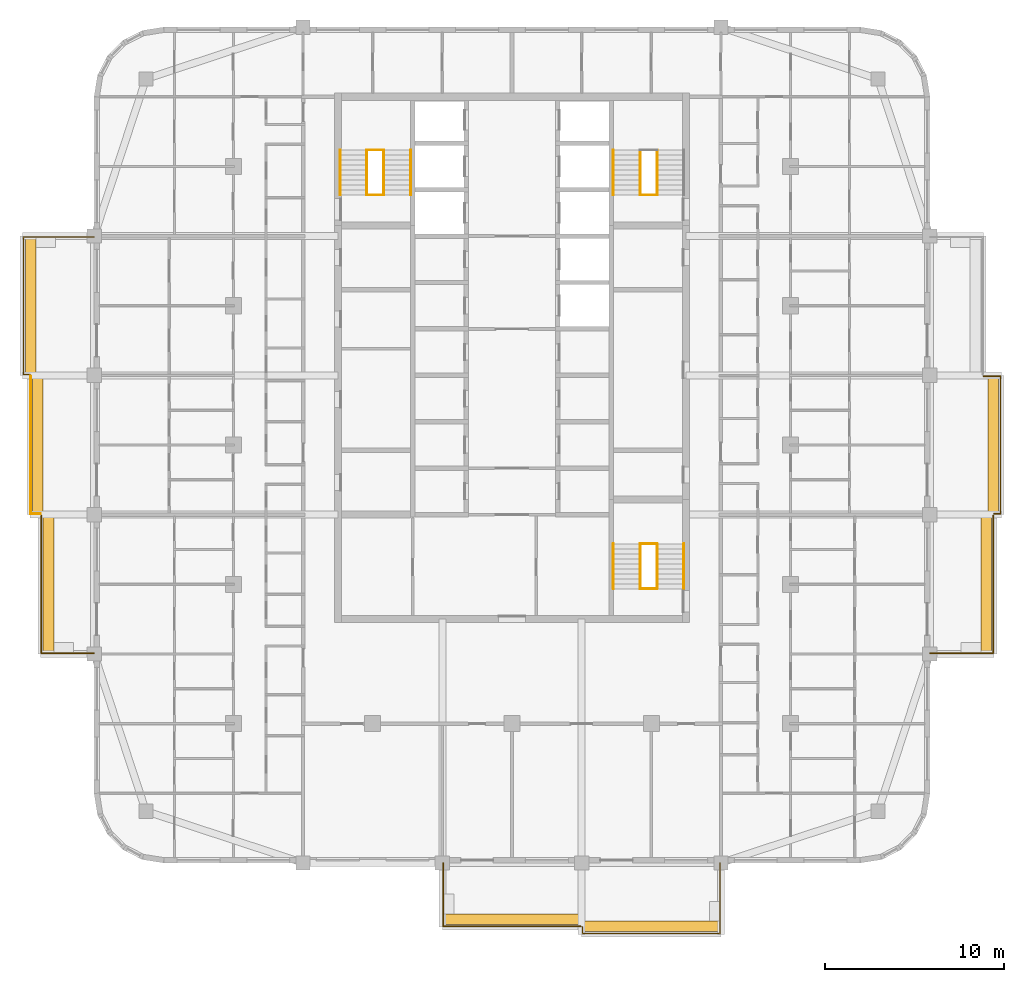
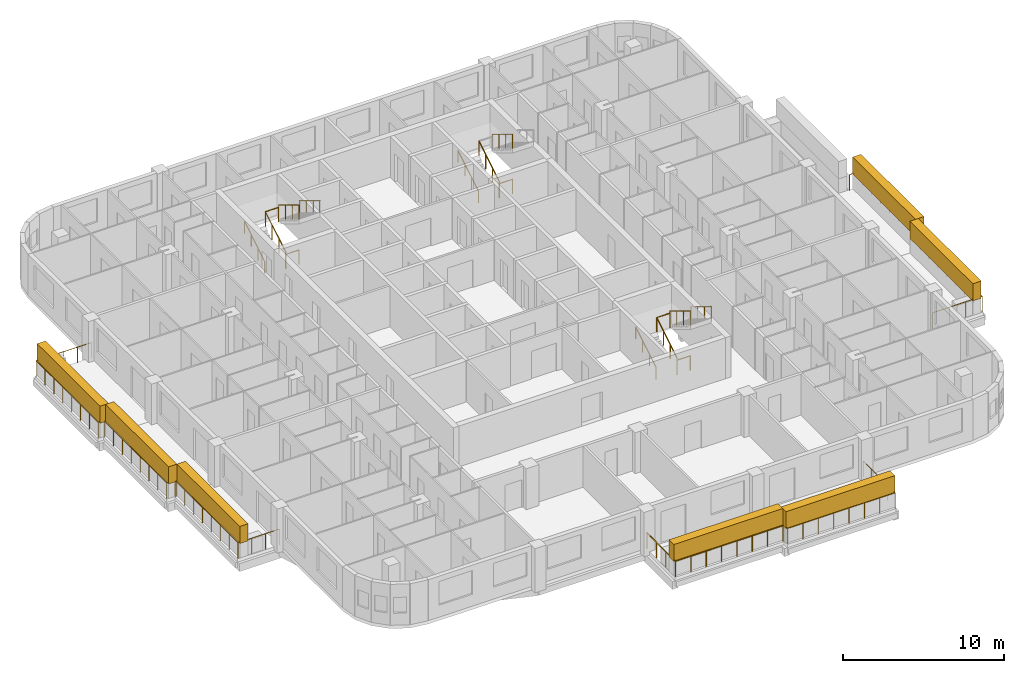
# One storey, part 15 of 16: 23 railings, 7 coverings, 3 elements without a shape of their own.
"""IFC4 building model written with IfcOpenShell, lengths in metres."""

from ifc_helpers import new_model, si_unit, direction, frame, origin, origin_2d, place, context, subcontext, project, spatial, rectangle, circle, extrude, material, layer, layer_set, type_object, element, aggregate, save


model = new_model("IFC4")

# Units and contexts
model_context = context("Model", 3, precision=1e-05, world=origin(), true_north=direction((0.0, 1.0)))
body_context = subcontext(model_context, "Body", "Model", "MODEL_VIEW")
ifc_project = project(units=[si_unit("LENGTHUNIT", "METRE"), si_unit("AREAUNIT", "SQUARE_METRE"), si_unit("VOLUMEUNIT", "CUBIC_METRE"), si_unit("PLANEANGLEUNIT", "RADIAN"), si_unit("MASSUNIT", "GRAM", prefix="KILO")], contexts=[model_context])

# Site, building, storey
site_placement = place(None, origin())
site = spatial("IfcSite", under=ifc_project, at=site_placement, CompositionType="ELEMENT")
building_placement = place(site_placement, origin())
building = spatial("IfcBuilding", under=site, at=building_placement, Name="Ludao Terraces", CompositionType="ELEMENT")
storey_placement = place(building_placement, frame((0.0, 0.0, 238.10009765625)))
storey = spatial("IfcBuildingStorey", under=building, at=storey_placement, Name="L65", CompositionType="ELEMENT", Elevation=238.10009765625)

# Railings
ifc_material_1 = material(Name="Stainless steel 304", Category="steel")
railing_type_1 = type_object("IfcRailingType", Name="ENV Balcony glass guard 1200", PredefinedType="GUARDRAIL", material=ifc_material_1)
railing_1_placement = place(storey_placement, frame((81.14990234375, 41.60009765625, 0.0)))
element("IfcRailing", 1, at=railing_1_placement, inside=storey, type_object=railing_type_1, Name="Balcony guard L65 S2", PredefinedType="GUARDRAIL", context=body_context, shape_type="SweptSolid", body=[
    extrude(circle(Radius=0.02392578125, at=origin_2d()), frame((0.0, 0.0, 1.17578125), z_axis=(0.0, -1.0, 0.0), x_axis=(1.0, 0.0, 0.0)), (0.0, 0.0, 1.0), 3.550048828125),
    extrude(circle(Radius=0.02392578125, at=origin_2d()), frame((0.0, -3.550048828125, 1.17578125), z_axis=(1.0, 0.0, 0.0), x_axis=(0.0, 1.0, 0.0)), (0.0, 0.0, 1.0), 7.7001953125),
    extrude(circle(Radius=0.02099609375, at=origin_2d()), origin(), (0.0, 0.0, 1.0), 1.15185546875),
    extrude(circle(Radius=0.02099609375, at=origin_2d()), frame((0.0, -1.183349609375, 0.0)), (0.0, 0.0, 1.0), 1.15185546875),
    extrude(circle(Radius=0.02099609375, at=origin_2d()), frame((0.0, -2.36669921875, 0.0)), (0.0, 0.0, 1.0), 1.15185546875),
    extrude(circle(Radius=0.02099609375, at=origin_2d()), frame((0.0, -3.550048828125, 0.0)), (0.0, 0.0, 1.0), 1.15185546875),
    extrude(circle(Radius=0.02099609375, at=origin_2d()), frame((1.10009765625, -3.550048828125, 0.0)), (0.0, 0.0, 1.0), 1.15185546875),
    extrude(circle(Radius=0.02099609375, at=origin_2d()), frame((2.199951171875, -3.550048828125, 0.0)), (0.0, 0.0, 1.0), 1.15185546875),
    extrude(circle(Radius=0.02099609375, at=origin_2d()), frame((3.300048828125, -3.550048828125, 0.0)), (0.0, 0.0, 1.0), 1.15185546875),
    extrude(circle(Radius=0.02099609375, at=origin_2d()), frame((4.400146484375, -3.550048828125, 0.0)), (0.0, 0.0, 1.0), 1.15185546875),
    extrude(circle(Radius=0.02099609375, at=origin_2d()), frame((5.500244140625, -3.550048828125, 0.0)), (0.0, 0.0, 1.0), 1.15185546875),
    extrude(circle(Radius=0.02099609375, at=origin_2d()), frame((6.60009765625, -3.550048828125, 0.0)), (0.0, 0.0, 1.0), 1.15185546875),
    extrude(circle(Radius=0.02099609375, at=origin_2d()), frame((7.7001953125, -3.550048828125, 0.0)), (0.0, 0.0, 1.0), 1.15185546875),
])
railing_2_placement = place(storey_placement, frame((88.949951171875, 38.0, 0.0)))
element("IfcRailing", 2, at=railing_2_placement, inside=storey, type_object=railing_type_1, Name="Balcony guard L65 S3", PredefinedType="GUARDRAIL", context=body_context, shape_type="SweptSolid", body=[
    extrude(circle(Radius=0.02392578125, at=origin_2d()), frame((0.0, 0.0, 1.17578125), z_axis=(0.0, -1.0, 0.0), x_axis=(1.0, 0.0, 0.0)), (0.0, 0.0, 1.0), 0.35009765625),
    extrude(circle(Radius=0.02392578125, at=origin_2d()), frame((0.0, -0.35009765625, 1.17578125), z_axis=(1.0, 0.0, 0.0), x_axis=(0.0, 1.0, 0.0)), (0.0, 0.0, 1.0), 7.699951171875),
    extrude(circle(Radius=0.02392578125, at=origin_2d()), frame((7.699951171875, -0.35009765625, 1.17578125), z_axis=(0.0, 1.0, 0.0), x_axis=(-1.0, 0.0, 0.0)), (0.0, 0.0, 1.0), 3.9501953125),
    extrude(circle(Radius=0.02099609375, at=origin_2d()), origin(), (0.0, 0.0, 1.0), 1.15185546875),
    extrude(circle(Radius=0.02099609375, at=origin_2d()), frame((0.0, -0.35009765625, 0.0)), (0.0, 0.0, 1.0), 1.15185546875),
    extrude(circle(Radius=0.02099609375, at=origin_2d()), frame((1.10009765625, -0.35009765625, 0.0)), (0.0, 0.0, 1.0), 1.15185546875),
    extrude(circle(Radius=0.02099609375, at=origin_2d()), frame((2.199951171875, -0.35009765625, 0.0)), (0.0, 0.0, 1.0), 1.15185546875),
    extrude(circle(Radius=0.02099609375, at=origin_2d()), frame((3.300048828125, -0.35009765625, 0.0)), (0.0, 0.0, 1.0), 1.15185546875),
    extrude(circle(Radius=0.02099609375, at=origin_2d()), frame((4.39990234375, -0.35009765625, 0.0)), (0.0, 0.0, 1.0), 1.15185546875),
    extrude(circle(Radius=0.02099609375, at=origin_2d()), frame((5.5, -0.35009765625, 0.0)), (0.0, 0.0, 1.0), 1.15185546875),
    extrude(circle(Radius=0.02099609375, at=origin_2d()), frame((6.599853515625, -0.35009765625, 0.0)), (0.0, 0.0, 1.0), 1.15185546875),
    extrude(circle(Radius=0.02099609375, at=origin_2d()), frame((7.699951171875, -0.35009765625, 0.0)), (0.0, 0.0, 1.0), 1.15185546875),
    extrude(circle(Radius=0.02099609375, at=origin_2d()), frame((7.699951171875, 0.637451171875, 0.0)), (0.0, 0.0, 1.0), 1.15185546875),
    extrude(circle(Radius=0.02099609375, at=origin_2d()), frame((7.699951171875, 1.625, 0.0)), (0.0, 0.0, 1.0), 1.15185546875),
    extrude(circle(Radius=0.02099609375, at=origin_2d()), frame((7.699951171875, 2.612548828125, 0.0)), (0.0, 0.0, 1.0), 1.15185546875),
    extrude(circle(Radius=0.02099609375, at=origin_2d()), frame((7.699951171875, 3.60009765625, 0.0)), (0.0, 0.0, 1.0), 1.15185546875),
])
railing_3_placement = place(storey_placement, frame((108.39990234375, 53.35009765625, 0.0)))
element("IfcRailing", 3, at=railing_3_placement, inside=storey, type_object=railing_type_1, Name="Balcony guard L65 E1", PredefinedType="GUARDRAIL", context=body_context, shape_type="SweptSolid", body=[
    extrude(circle(Radius=0.02392578125, at=origin_2d()), frame((0.0, 0.0, 1.17578125), z_axis=(1.0, 0.0, 0.0), x_axis=(0.0, 1.0, 0.0)), (0.0, 0.0, 1.0), 3.550048828125),
    extrude(circle(Radius=0.02392578125, at=origin_2d()), frame((3.550048828125, 0.0, 1.17578125), z_axis=(0.0, 1.0, 0.0), x_axis=(-1.0, 0.0, 0.0)), (0.0, 0.0, 1.0), 7.699951171875),
    extrude(circle(Radius=0.02099609375, at=origin_2d()), origin(), (0.0, 0.0, 1.0), 1.15185546875),
    extrude(circle(Radius=0.02099609375, at=origin_2d()), frame((1.183349609375, 0.0, 0.0)), (0.0, 0.0, 1.0), 1.15185546875),
    extrude(circle(Radius=0.02099609375, at=origin_2d()), frame((2.36669921875, 0.0, 0.0)), (0.0, 0.0, 1.0), 1.15185546875),
    extrude(circle(Radius=0.02099609375, at=origin_2d()), frame((3.550048828125, 0.0, 0.0)), (0.0, 0.0, 1.0), 1.15185546875),
    extrude(circle(Radius=0.02099609375, at=origin_2d()), frame((3.550048828125, 1.10009765625, 0.0)), (0.0, 0.0, 1.0), 1.15185546875),
    extrude(circle(Radius=0.02099609375, at=origin_2d()), frame((3.550048828125, 2.199951171875, 0.0)), (0.0, 0.0, 1.0), 1.15185546875),
    extrude(circle(Radius=0.02099609375, at=origin_2d()), frame((3.550048828125, 3.300048828125, 0.0)), (0.0, 0.0, 1.0), 1.15185546875),
    extrude(circle(Radius=0.02099609375, at=origin_2d()), frame((3.550048828125, 4.39990234375, 0.0)), (0.0, 0.0, 1.0), 1.15185546875),
    extrude(circle(Radius=0.02099609375, at=origin_2d()), frame((3.550048828125, 5.5, 0.0)), (0.0, 0.0, 1.0), 1.15185546875),
    extrude(circle(Radius=0.02099609375, at=origin_2d()), frame((3.550048828125, 6.599853515625, 0.0)), (0.0, 0.0, 1.0), 1.15185546875),
    extrude(circle(Radius=0.02099609375, at=origin_2d()), frame((3.550048828125, 7.699951171875, 0.0)), (0.0, 0.0, 1.0), 1.15185546875),
])
railing_4_placement = place(storey_placement, frame((112.0, 61.14990234375, 0.0)))
element("IfcRailing", 4, at=railing_4_placement, inside=storey, type_object=railing_type_1, Name="Balcony guard L65 E2", PredefinedType="GUARDRAIL", context=body_context, shape_type="SweptSolid", body=[
    extrude(circle(Radius=0.02392578125, at=origin_2d()), frame((0.0, 0.0, 1.17578125), z_axis=(1.0, 0.0, 0.0), x_axis=(0.0, 1.0, 0.0)), (0.0, 0.0, 1.0), 0.35009765625),
    extrude(circle(Radius=0.02392578125, at=origin_2d()), frame((0.35009765625, 0.0, 1.17578125), z_axis=(0.0, 1.0, 0.0), x_axis=(-1.0, 0.0, 0.0)), (0.0, 0.0, 1.0), 7.7001953125),
    extrude(circle(Radius=0.02392578125, at=origin_2d()), frame((0.35009765625, 7.7001953125, 1.17578125), z_axis=(-1.0, 0.0, 0.0), x_axis=(0.0, -1.0, 0.0)), (0.0, 0.0, 1.0), 0.9501953125),
    extrude(circle(Radius=0.02099609375, at=origin_2d()), origin(), (0.0, 0.0, 1.0), 1.15185546875),
    extrude(circle(Radius=0.02099609375, at=origin_2d()), frame((0.35009765625, 0.0, 0.0)), (0.0, 0.0, 1.0), 1.15185546875),
    extrude(circle(Radius=0.02099609375, at=origin_2d()), frame((0.35009765625, 1.10009765625, 0.0)), (0.0, 0.0, 1.0), 1.15185546875),
    extrude(circle(Radius=0.02099609375, at=origin_2d()), frame((0.35009765625, 2.199951171875, 0.0)), (0.0, 0.0, 1.0), 1.15185546875),
    extrude(circle(Radius=0.02099609375, at=origin_2d()), frame((0.35009765625, 3.300048828125, 0.0)), (0.0, 0.0, 1.0), 1.15185546875),
    extrude(circle(Radius=0.02099609375, at=origin_2d()), frame((0.35009765625, 4.400146484375, 0.0)), (0.0, 0.0, 1.0), 1.15185546875),
    extrude(circle(Radius=0.02099609375, at=origin_2d()), frame((0.35009765625, 5.500244140625, 0.0)), (0.0, 0.0, 1.0), 1.15185546875),
    extrude(circle(Radius=0.02099609375, at=origin_2d()), frame((0.35009765625, 6.60009765625, 0.0)), (0.0, 0.0, 1.0), 1.15185546875),
    extrude(circle(Radius=0.02099609375, at=origin_2d()), frame((0.35009765625, 7.7001953125, 0.0)), (0.0, 0.0, 1.0), 1.15185546875),
    extrude(circle(Radius=0.02099609375, at=origin_2d()), frame((-0.60009765625, 7.7001953125, 0.0)), (0.0, 0.0, 1.0), 1.15185546875),
])
railing_5_placement = place(storey_placement, frame((61.60009765625, 53.35009765625, 0.0)))
element("IfcRailing", 5, at=railing_5_placement, inside=storey, type_object=railing_type_1, Name="Balcony guard L65 W1", PredefinedType="GUARDRAIL", context=body_context, shape_type="SweptSolid", body=[
    extrude(circle(Radius=0.02392578125, at=origin_2d()), frame((0.0, 0.0, 1.17578125), z_axis=(-1.0, 0.0, 0.0), x_axis=(0.0, -1.0, 0.0)), (0.0, 0.0, 1.0), 2.9501953125),
    extrude(circle(Radius=0.02392578125, at=origin_2d()), frame((-2.9501953125, 0.0, 1.17578125), z_axis=(0.0, 1.0, 0.0), x_axis=(-1.0, 0.0, 0.0)), (0.0, 0.0, 1.0), 7.699951171875),
    extrude(circle(Radius=0.02099609375, at=origin_2d()), origin(), (0.0, 0.0, 1.0), 1.15185546875),
    extrude(circle(Radius=0.02099609375, at=origin_2d()), frame((-0.9833984375, 0.0, 0.0)), (0.0, 0.0, 1.0), 1.15185546875),
    extrude(circle(Radius=0.02099609375, at=origin_2d()), frame((-1.966796875, 0.0, 0.0)), (0.0, 0.0, 1.0), 1.15185546875),
    extrude(circle(Radius=0.02099609375, at=origin_2d()), frame((-2.9501953125, 0.0, 0.0)), (0.0, 0.0, 1.0), 1.15185546875),
    extrude(circle(Radius=0.02099609375, at=origin_2d()), frame((-2.9501953125, 1.10009765625, 0.0)), (0.0, 0.0, 1.0), 1.15185546875),
    extrude(circle(Radius=0.02099609375, at=origin_2d()), frame((-2.9501953125, 2.199951171875, 0.0)), (0.0, 0.0, 1.0), 1.15185546875),
    extrude(circle(Radius=0.02099609375, at=origin_2d()), frame((-2.9501953125, 3.300048828125, 0.0)), (0.0, 0.0, 1.0), 1.15185546875),
    extrude(circle(Radius=0.02099609375, at=origin_2d()), frame((-2.9501953125, 4.39990234375, 0.0)), (0.0, 0.0, 1.0), 1.15185546875),
    extrude(circle(Radius=0.02099609375, at=origin_2d()), frame((-2.9501953125, 5.5, 0.0)), (0.0, 0.0, 1.0), 1.15185546875),
    extrude(circle(Radius=0.02099609375, at=origin_2d()), frame((-2.9501953125, 6.599853515625, 0.0)), (0.0, 0.0, 1.0), 1.15185546875),
    extrude(circle(Radius=0.02099609375, at=origin_2d()), frame((-2.9501953125, 7.699951171875, 0.0)), (0.0, 0.0, 1.0), 1.15185546875),
])
railing_6_placement = place(storey_placement, frame((58.60009765625, 61.14990234375, 0.0)))
element("IfcRailing", 6, at=railing_6_placement, inside=storey, type_object=railing_type_1, Name="Balcony guard L65 W2", PredefinedType="GUARDRAIL", context=body_context, shape_type="SweptSolid", body=[
    extrude(circle(Radius=0.02392578125, at=origin_2d()), frame((0.0, 0.0, 1.17578125), z_axis=(-1.0, 0.0, 0.0), x_axis=(0.0, -1.0, 0.0)), (0.0, 0.0, 1.0), 0.550048828125),
    extrude(circle(Radius=0.02392578125, at=origin_2d()), frame((-0.550048828125, 0.0, 1.17578125), z_axis=(0.0, 1.0, 0.0), x_axis=(-1.0, 0.0, 0.0)), (0.0, 0.0, 1.0), 7.7001953125),
    extrude(circle(Radius=0.02099609375, at=origin_2d()), origin(), (0.0, 0.0, 1.0), 1.15185546875),
    extrude(circle(Radius=0.02099609375, at=origin_2d()), frame((-0.550048828125, 0.0, 0.0)), (0.0, 0.0, 1.0), 1.15185546875),
    extrude(circle(Radius=0.02099609375, at=origin_2d()), frame((-0.550048828125, 1.10009765625, 0.0)), (0.0, 0.0, 1.0), 1.15185546875),
    extrude(circle(Radius=0.02099609375, at=origin_2d()), frame((-0.550048828125, 2.199951171875, 0.0)), (0.0, 0.0, 1.0), 1.15185546875),
    extrude(circle(Radius=0.02099609375, at=origin_2d()), frame((-0.550048828125, 3.300048828125, 0.0)), (0.0, 0.0, 1.0), 1.15185546875),
    extrude(circle(Radius=0.02099609375, at=origin_2d()), frame((-0.550048828125, 4.400146484375, 0.0)), (0.0, 0.0, 1.0), 1.15185546875),
    extrude(circle(Radius=0.02099609375, at=origin_2d()), frame((-0.550048828125, 5.500244140625, 0.0)), (0.0, 0.0, 1.0), 1.15185546875),
    extrude(circle(Radius=0.02099609375, at=origin_2d()), frame((-0.550048828125, 6.60009765625, 0.0)), (0.0, 0.0, 1.0), 1.15185546875),
    extrude(circle(Radius=0.02099609375, at=origin_2d()), frame((-0.550048828125, 7.7001953125, 0.0)), (0.0, 0.0, 1.0), 1.15185546875),
])
railing_7_placement = place(storey_placement, frame((58.0, 68.949951171875, 0.0)))
element("IfcRailing", 7, at=railing_7_placement, inside=storey, type_object=railing_type_1, Name="Balcony guard L65 W3", PredefinedType="GUARDRAIL", context=body_context, shape_type="SweptSolid", body=[
    extrude(circle(Radius=0.02392578125, at=origin_2d()), frame((0.0, 0.0, 1.17578125), z_axis=(-1.0, 0.0, 0.0), x_axis=(0.0, -1.0, 0.0)), (0.0, 0.0, 1.0), 0.35009765625),
    extrude(circle(Radius=0.02392578125, at=origin_2d()), frame((-0.35009765625, 0.0, 1.17578125), z_axis=(0.0, 1.0, 0.0), x_axis=(-1.0, 0.0, 0.0)), (0.0, 0.0, 1.0), 7.699951171875),
    extrude(circle(Radius=0.02392578125, at=origin_2d()), frame((-0.35009765625, 7.699951171875, 1.17578125), z_axis=(1.0, 0.0, 0.0), x_axis=(0.0, 1.0, 0.0)), (0.0, 0.0, 1.0), 3.9501953125),
    extrude(circle(Radius=0.02099609375, at=origin_2d()), origin(), (0.0, 0.0, 1.0), 1.15185546875),
    extrude(circle(Radius=0.02099609375, at=origin_2d()), frame((-0.35009765625, 0.0, 0.0)), (0.0, 0.0, 1.0), 1.15185546875),
    extrude(circle(Radius=0.02099609375, at=origin_2d()), frame((-0.35009765625, 1.10009765625, 0.0)), (0.0, 0.0, 1.0), 1.15185546875),
    extrude(circle(Radius=0.02099609375, at=origin_2d()), frame((-0.35009765625, 2.199951171875, 0.0)), (0.0, 0.0, 1.0), 1.15185546875),
    extrude(circle(Radius=0.02099609375, at=origin_2d()), frame((-0.35009765625, 3.300048828125, 0.0)), (0.0, 0.0, 1.0), 1.15185546875),
    extrude(circle(Radius=0.02099609375, at=origin_2d()), frame((-0.35009765625, 4.39990234375, 0.0)), (0.0, 0.0, 1.0), 1.15185546875),
    extrude(circle(Radius=0.02099609375, at=origin_2d()), frame((-0.35009765625, 5.5, 0.0)), (0.0, 0.0, 1.0), 1.15185546875),
    extrude(circle(Radius=0.02099609375, at=origin_2d()), frame((-0.35009765625, 6.599853515625, 0.0)), (0.0, 0.0, 1.0), 1.15185546875),
    extrude(circle(Radius=0.02099609375, at=origin_2d()), frame((-0.35009765625, 7.699951171875, 0.0)), (0.0, 0.0, 1.0), 1.15185546875),
    extrude(circle(Radius=0.02099609375, at=origin_2d()), frame((0.637451171875, 7.699951171875, 0.0)), (0.0, 0.0, 1.0), 1.15185546875),
    extrude(circle(Radius=0.02099609375, at=origin_2d()), frame((1.625, 7.699951171875, 0.0)), (0.0, 0.0, 1.0), 1.15185546875),
    extrude(circle(Radius=0.02099609375, at=origin_2d()), frame((2.612548828125, 7.699951171875, 0.0)), (0.0, 0.0, 1.0), 1.15185546875),
    extrude(circle(Radius=0.02099609375, at=origin_2d()), frame((3.60009765625, 7.699951171875, 0.0)), (0.0, 0.0, 1.0), 1.15185546875),
])

# Coverings
ifc_material_2 = material(Name="Planting")
ifc_layer = layer(ifc_material_2, 0.60009765625)
ifc_layer_set = layer_set([ifc_layer], Name="ENV Planting hedge 600x1300")
covering_type = type_object("IfcCoveringType", Name="ENV Planting hedge 600x1300", PredefinedType="USERDEFINED", material=ifc_layer_set)
for number, where, z_axis, x_axis, name in (
    (8, (85.0, 38.449951171875, 1.10009765625), (0.0, 0.0, 1.0), (1.0, 0.0, 0.0), "Planting hedge L65-S2"),
    (9, (92.800048828125, 38.050048828125, 1.10009765625), (0.0, 0.0, 1.0), (1.0, 0.0, 0.0), "Planting hedge L65-S3"),
):
    element("IfcCovering", number, at=place(storey_placement, frame(where, z_axis=z_axis, x_axis=x_axis)), inside=storey, type_object=covering_type, Name=name, ObjectType="PLANTING", PredefinedType="USERDEFINED", context=body_context, shape_type="SweptSolid", body=[
        extrude(rectangle(XDim=7.800048828125, YDim=0.60009765625, at=origin_2d()), origin(), (0.0, 0.0, 1.0), 1.300048828125),
    ])
for number, where, z_axis, x_axis, name in (
    (10, (111.550048828125, 57.199951171875, 1.10009765625), (0.0, 0.0, 1.0), (1.0, 0.0, 0.0), "Planting hedge L65-E1"),
    (11, (111.949951171875, 65.0, 1.10009765625), (0.0, 0.0, 1.0), (1.0, 0.0, 0.0), "Planting hedge L65-E2"),
    (12, (59.050048828125, 57.199951171875, 1.10009765625), (0.0, 0.0, 1.0), (1.0, 0.0, 0.0), "Planting hedge L65-W1"),
    (13, (58.449951171875, 65.0, 1.10009765625), (0.0, 0.0, 1.0), (1.0, 0.0, 0.0), "Planting hedge L65-W2"),
    (14, (58.050048828125, 72.800048828125, 1.10009765625), (0.0, 0.0, 1.0), (1.0, 0.0, 0.0), "Planting hedge L65-W3"),
):
    element("IfcCovering", number, at=place(storey_placement, frame(where, z_axis=z_axis, x_axis=x_axis)), inside=storey, type_object=covering_type, Name=name, ObjectType="PLANTING", PredefinedType="USERDEFINED", context=body_context, shape_type="SweptSolid", body=[
        extrude(rectangle(XDim=0.60009765625, YDim=7.800048828125, at=origin_2d()), origin(), (0.0, 0.0, 1.0), 1.300048828125),
    ])

# Stair, railings
ifc_material_3 = material(Name="Concrete C40", Category="concrete")
stair_type = type_object("IfcStairType", Name="INT Stair", PredefinedType="HALF_TURN_STAIR", material=ifc_material_3)
stair_1_placement = place(storey_placement, origin())
stair_1 = element("IfcStair", 15, at=stair_1_placement, inside=storey, type_object=stair_type, Name="EXIT STAIR 1", PredefinedType="HALF_TURN_STAIR")
railing_type_2 = type_object("IfcRailingType", Name="INT Stair guard 1100", PredefinedType="GUARDRAIL", material=ifc_material_1)
railing_8_placement = place(storey_placement, frame((76.875, 79.0, 0.169921875)))
railing_8 = element("IfcRailing", 16, at=railing_8_placement, type_object=railing_type_2, Name="ST-L65-S1-R1G", PredefinedType="GUARDRAIL", context=body_context, shape_type="SweptSolid", body=[
    extrude(circle(Radius=0.02392578125, at=origin_2d()), frame((0.0, 0.0, 1.076171875), z_axis=(0.0, 0.85478489116, 0.518982456201), x_axis=(-1.0, 0.0, 0.0)), (0.0, 0.0, 1.0), 2.9482421875),
    extrude(circle(Radius=0.02099609375, at=origin_2d()), origin(), (0.0, 0.0, 1.0), 1.052001953125),
    extrude(circle(Radius=0.02099609375, at=origin_2d()), frame((0.0, 0.840087890625, 0.510009765625)), (0.0, 0.0, 1.0), 1.052001953125),
    extrude(circle(Radius=0.02099609375, at=origin_2d()), frame((0.0, 1.679931640625, 1.02001953125)), (0.0, 0.0, 1.0), 1.052001953125),
    extrude(circle(Radius=0.02099609375, at=origin_2d()), frame((0.0, 2.52001953125, 1.530029296875)), (0.0, 0.0, 1.0), 1.052001953125),
])
railing_9_placement = place(storey_placement, frame((77.824951171875, 81.52001953125, 1.869873046875)))
railing_9 = element("IfcRailing", 17, at=railing_9_placement, type_object=railing_type_2, Name="ST-L65-S1-R2G", PredefinedType="GUARDRAIL", context=body_context, shape_type="SweptSolid", body=[
    extrude(circle(Radius=0.02392578125, at=origin_2d()), frame((0.0, 0.0, 1.076171875), z_axis=(0.0, -0.85478489116, 0.518982456201), x_axis=(1.0, 0.0, 0.0)), (0.0, 0.0, 1.0), 2.9482421875),
    extrude(circle(Radius=0.02099609375, at=origin_2d()), origin(), (0.0, 0.0, 1.0), 1.052001953125),
    extrude(circle(Radius=0.02099609375, at=origin_2d()), frame((0.0, -0.840087890625, 0.510009765625)), (0.0, 0.0, 1.0), 1.052001953125),
    extrude(circle(Radius=0.02099609375, at=origin_2d()), frame((0.0, -1.679931640625, 1.02001953125)), (0.0, 0.0, 1.0), 1.052001953125),
    extrude(circle(Radius=0.02099609375, at=origin_2d()), frame((0.0, -2.52001953125, 1.530029296875)), (0.0, 0.0, 1.0), 1.052001953125),
])
railing_10_placement = place(storey_placement, frame((76.875, 81.52001953125, 1.699951171875)))
railing_10 = element("IfcRailing", 18, at=railing_10_placement, type_object=railing_type_2, Name="ST-L65-S1-E1G", PredefinedType="GUARDRAIL", context=body_context, shape_type="SweptSolid", body=[
    extrude(circle(Radius=0.02392578125, at=origin_2d()), frame((0.0, 0.0, 1.076171875), z_axis=(1.0, 0.0, 0.0), x_axis=(0.0, 1.0, 0.0)), (0.0, 0.0, 1.0), 0.949951171875),
    extrude(circle(Radius=0.02099609375, at=origin_2d()), origin(), (0.0, 0.0, 1.0), 1.052001953125),
    extrude(circle(Radius=0.02099609375, at=origin_2d()), frame((0.949951171875, 0.0, 0.0)), (0.0, 0.0, 1.0), 1.052001953125),
])
railing_11_placement = place(storey_placement, frame((76.875, 79.0, 0.0)))
railing_11 = element("IfcRailing", 19, at=railing_11_placement, type_object=railing_type_2, Name="ST-L65-S1-E2G", PredefinedType="GUARDRAIL", context=body_context, shape_type="SweptSolid", body=[
    extrude(circle(Radius=0.02392578125, at=origin_2d()), frame((0.0, 0.0, 1.076171875), z_axis=(1.0, 0.0, 0.0), x_axis=(0.0, 1.0, 0.0)), (0.0, 0.0, 1.0), 0.949951171875),
    extrude(circle(Radius=0.02099609375, at=origin_2d()), origin(), (0.0, 0.0, 1.0), 1.052001953125),
    extrude(circle(Radius=0.02099609375, at=origin_2d()), frame((0.949951171875, 0.0, 0.0)), (0.0, 0.0, 1.0), 1.052001953125),
])

stair_2_placement = place(storey_placement, origin())
stair_2 = element("IfcStair", 20, at=stair_2_placement, inside=storey, type_object=stair_type, Name="EXIT STAIR 2", PredefinedType="HALF_TURN_STAIR")
railing_12_placement = place(storey_placement, frame((92.175048828125, 79.0, 0.169921875)))
railing_12 = element("IfcRailing", 21, at=railing_12_placement, type_object=railing_type_2, Name="ST-L65-S2-R1G", PredefinedType="GUARDRAIL", context=body_context, shape_type="SweptSolid", body=[
    extrude(circle(Radius=0.02392578125, at=origin_2d()), frame((0.0, 0.0, 1.076171875), z_axis=(0.0, 0.85478489116, 0.518982456201), x_axis=(-1.0, 0.0, 0.0)), (0.0, 0.0, 1.0), 2.9482421875),
    extrude(circle(Radius=0.02099609375, at=origin_2d()), origin(), (0.0, 0.0, 1.0), 1.052001953125),
    extrude(circle(Radius=0.02099609375, at=origin_2d()), frame((0.0, 0.840087890625, 0.510009765625)), (0.0, 0.0, 1.0), 1.052001953125),
    extrude(circle(Radius=0.02099609375, at=origin_2d()), frame((0.0, 1.679931640625, 1.02001953125)), (0.0, 0.0, 1.0), 1.052001953125),
    extrude(circle(Radius=0.02099609375, at=origin_2d()), frame((0.0, 2.52001953125, 1.530029296875)), (0.0, 0.0, 1.0), 1.052001953125),
])
railing_13_placement = place(storey_placement, frame((93.125, 81.52001953125, 1.869873046875)))
railing_13 = element("IfcRailing", 22, at=railing_13_placement, type_object=railing_type_2, Name="ST-L65-S2-R2G", PredefinedType="GUARDRAIL", context=body_context, shape_type="SweptSolid", body=[
    extrude(circle(Radius=0.02392578125, at=origin_2d()), frame((0.0, 0.0, 1.076171875), z_axis=(0.0, -0.85478489116, 0.518982456201), x_axis=(1.0, 0.0, 0.0)), (0.0, 0.0, 1.0), 2.9482421875),
    extrude(circle(Radius=0.02099609375, at=origin_2d()), origin(), (0.0, 0.0, 1.0), 1.052001953125),
    extrude(circle(Radius=0.02099609375, at=origin_2d()), frame((0.0, -0.840087890625, 0.510009765625)), (0.0, 0.0, 1.0), 1.052001953125),
    extrude(circle(Radius=0.02099609375, at=origin_2d()), frame((0.0, -1.679931640625, 1.02001953125)), (0.0, 0.0, 1.0), 1.052001953125),
    extrude(circle(Radius=0.02099609375, at=origin_2d()), frame((0.0, -2.52001953125, 1.530029296875)), (0.0, 0.0, 1.0), 1.052001953125),
])
railing_14_placement = place(storey_placement, frame((92.175048828125, 79.0, 0.0)))
railing_14 = element("IfcRailing", 23, at=railing_14_placement, type_object=railing_type_2, Name="ST-L65-S2-E2G", PredefinedType="GUARDRAIL", context=body_context, shape_type="SweptSolid", body=[
    extrude(circle(Radius=0.02392578125, at=origin_2d()), frame((0.0, 0.0, 1.076171875), z_axis=(1.0, 0.0, 0.0), x_axis=(0.0, 1.0, 0.0)), (0.0, 0.0, 1.0), 0.949951171875),
    extrude(circle(Radius=0.02099609375, at=origin_2d()), origin(), (0.0, 0.0, 1.0), 1.052001953125),
    extrude(circle(Radius=0.02099609375, at=origin_2d()), frame((0.949951171875, 0.0, 0.0)), (0.0, 0.0, 1.0), 1.052001953125),
])

stair_3_placement = place(storey_placement, origin())
stair_3 = element("IfcStair", 24, at=stair_3_placement, inside=storey, type_object=stair_type, Name="EXIT STAIR 3", PredefinedType="HALF_TURN_STAIR")
railing_15_placement = place(storey_placement, frame((92.175048828125, 56.949951171875, 0.169921875)))
railing_15 = element("IfcRailing", 25, at=railing_15_placement, type_object=railing_type_2, Name="ST-L65-S3-R1G", PredefinedType="GUARDRAIL", context=body_context, shape_type="SweptSolid", body=[
    extrude(circle(Radius=0.02392578125, at=origin_2d()), frame((0.0, 0.0, 1.076171875), z_axis=(0.0, 0.85478489116, 0.518982456201), x_axis=(-1.0, 0.0, 0.0)), (0.0, 0.0, 1.0), 2.9482421875),
    extrude(circle(Radius=0.02099609375, at=origin_2d()), origin(), (0.0, 0.0, 1.0), 1.052001953125),
    extrude(circle(Radius=0.02099609375, at=origin_2d()), frame((0.0, 0.840087890625, 0.510009765625)), (0.0, 0.0, 1.0), 1.052001953125),
    extrude(circle(Radius=0.02099609375, at=origin_2d()), frame((0.0, 1.679931640625, 1.02001953125)), (0.0, 0.0, 1.0), 1.052001953125),
    extrude(circle(Radius=0.02099609375, at=origin_2d()), frame((0.0, 2.52001953125, 1.530029296875)), (0.0, 0.0, 1.0), 1.052001953125),
])
railing_16_placement = place(storey_placement, frame((93.125, 59.469970703125, 1.869873046875)))
railing_16 = element("IfcRailing", 26, at=railing_16_placement, type_object=railing_type_2, Name="ST-L65-S3-R2G", PredefinedType="GUARDRAIL", context=body_context, shape_type="SweptSolid", body=[
    extrude(circle(Radius=0.02392578125, at=origin_2d()), frame((0.0, 0.0, 1.076171875), z_axis=(0.0, -0.85478489116, 0.518982456201), x_axis=(1.0, 0.0, 0.0)), (0.0, 0.0, 1.0), 2.9482421875),
    extrude(circle(Radius=0.02099609375, at=origin_2d()), origin(), (0.0, 0.0, 1.0), 1.052001953125),
    extrude(circle(Radius=0.02099609375, at=origin_2d()), frame((0.0, -0.840087890625, 0.510009765625)), (0.0, 0.0, 1.0), 1.052001953125),
    extrude(circle(Radius=0.02099609375, at=origin_2d()), frame((0.0, -1.679931640625, 1.02001953125)), (0.0, 0.0, 1.0), 1.052001953125),
    extrude(circle(Radius=0.02099609375, at=origin_2d()), frame((0.0, -2.52001953125, 1.530029296875)), (0.0, 0.0, 1.0), 1.052001953125),
])
railing_17_placement = place(storey_placement, frame((92.175048828125, 59.469970703125, 1.699951171875)))
railing_17 = element("IfcRailing", 27, at=railing_17_placement, type_object=railing_type_2, Name="ST-L65-S3-E1G", PredefinedType="GUARDRAIL", context=body_context, shape_type="SweptSolid", body=[
    extrude(circle(Radius=0.02392578125, at=origin_2d()), frame((0.0, 0.0, 1.076171875), z_axis=(1.0, 0.0, 0.0), x_axis=(0.0, 1.0, 0.0)), (0.0, 0.0, 1.0), 0.949951171875),
    extrude(circle(Radius=0.02099609375, at=origin_2d()), origin(), (0.0, 0.0, 1.0), 1.052001953125),
    extrude(circle(Radius=0.02099609375, at=origin_2d()), frame((0.949951171875, 0.0, 0.0)), (0.0, 0.0, 1.0), 1.052001953125),
])
railing_18_placement = place(storey_placement, frame((92.175048828125, 56.949951171875, 0.0)))
railing_18 = element("IfcRailing", 28, at=railing_18_placement, type_object=railing_type_2, Name="ST-L65-S3-E2G", PredefinedType="GUARDRAIL", context=body_context, shape_type="SweptSolid", body=[
    extrude(circle(Radius=0.02392578125, at=origin_2d()), frame((0.0, 0.0, 1.076171875), z_axis=(1.0, 0.0, 0.0), x_axis=(0.0, 1.0, 0.0)), (0.0, 0.0, 1.0), 0.949951171875),
    extrude(circle(Radius=0.02099609375, at=origin_2d()), origin(), (0.0, 0.0, 1.0), 1.052001953125),
    extrude(circle(Radius=0.02099609375, at=origin_2d()), frame((0.949951171875, 0.0, 0.0)), (0.0, 0.0, 1.0), 1.052001953125),
])

# Railing
railing_type_3 = type_object("IfcRailingType", Name="INT Stair handrail 900", PredefinedType="HANDRAIL", material=ifc_material_1)
railing_19_placement = place(storey_placement, frame((75.375, 79.0, 0.169921875)))
railing_19 = element("IfcRailing", 29, at=railing_19_placement, type_object=railing_type_3, Name="ST-L65-S1-R1H", PredefinedType="HANDRAIL", context=body_context, shape_type="SweptSolid", body=[
    extrude(circle(Radius=0.02392578125, at=origin_2d()), frame((0.0, 0.0, 0.8759765625), z_axis=(0.0, 0.85478489116, 0.518982456201), x_axis=(-1.0, 0.0, 0.0)), (0.0, 0.0, 1.0), 2.9482421875),
    extrude(circle(Radius=0.02099609375, at=origin_2d()), origin(), (0.0, 0.0, 1.0), 0.851806640625),
    extrude(circle(Radius=0.02099609375, at=origin_2d()), frame((0.0, 0.840087890625, 0.510009765625)), (0.0, 0.0, 1.0), 0.851806640625),
    extrude(circle(Radius=0.02099609375, at=origin_2d()), frame((0.0, 1.679931640625, 1.02001953125)), (0.0, 0.0, 1.0), 0.851806640625),
    extrude(circle(Radius=0.02099609375, at=origin_2d()), frame((0.0, 2.52001953125, 1.530029296875)), (0.0, 0.0, 1.0), 0.851806640625),
])

railing_20_placement = place(storey_placement, frame((79.324951171875, 81.52001953125, 1.869873046875)))
railing_20 = element("IfcRailing", 30, at=railing_20_placement, type_object=railing_type_3, Name="ST-L65-S1-R2H", PredefinedType="HANDRAIL", context=body_context, shape_type="SweptSolid", body=[
    extrude(circle(Radius=0.02392578125, at=origin_2d()), frame((0.0, 0.0, 0.8759765625), z_axis=(0.0, -0.85478489116, 0.518982456201), x_axis=(1.0, 0.0, 0.0)), (0.0, 0.0, 1.0), 2.9482421875),
    extrude(circle(Radius=0.02099609375, at=origin_2d()), origin(), (0.0, 0.0, 1.0), 0.851806640625),
    extrude(circle(Radius=0.02099609375, at=origin_2d()), frame((0.0, -0.840087890625, 0.510009765625)), (0.0, 0.0, 1.0), 0.851806640625),
    extrude(circle(Radius=0.02099609375, at=origin_2d()), frame((0.0, -1.679931640625, 1.02001953125)), (0.0, 0.0, 1.0), 0.851806640625),
    extrude(circle(Radius=0.02099609375, at=origin_2d()), frame((0.0, -2.52001953125, 1.530029296875)), (0.0, 0.0, 1.0), 0.851806640625),
])

aggregate(stair_1, [railing_8, railing_19, railing_9, railing_20, railing_10, railing_11])

railing_21_placement = place(storey_placement, frame((90.675048828125, 79.0, 0.169921875)))
railing_21 = element("IfcRailing", 31, at=railing_21_placement, type_object=railing_type_3, Name="ST-L65-S2-R1H", PredefinedType="HANDRAIL", context=body_context, shape_type="SweptSolid", body=[
    extrude(circle(Radius=0.02392578125, at=origin_2d()), frame((0.0, 0.0, 0.8759765625), z_axis=(0.0, 0.85478489116, 0.518982456201), x_axis=(-1.0, 0.0, 0.0)), (0.0, 0.0, 1.0), 2.9482421875),
    extrude(circle(Radius=0.02099609375, at=origin_2d()), origin(), (0.0, 0.0, 1.0), 0.851806640625),
    extrude(circle(Radius=0.02099609375, at=origin_2d()), frame((0.0, 0.840087890625, 0.510009765625)), (0.0, 0.0, 1.0), 0.851806640625),
    extrude(circle(Radius=0.02099609375, at=origin_2d()), frame((0.0, 1.679931640625, 1.02001953125)), (0.0, 0.0, 1.0), 0.851806640625),
    extrude(circle(Radius=0.02099609375, at=origin_2d()), frame((0.0, 2.52001953125, 1.530029296875)), (0.0, 0.0, 1.0), 0.851806640625),
])

aggregate(stair_2, [railing_12, railing_21, railing_13, railing_14])

railing_22_placement = place(storey_placement, frame((90.675048828125, 56.949951171875, 0.169921875)))
railing_22 = element("IfcRailing", 32, at=railing_22_placement, type_object=railing_type_3, Name="ST-L65-S3-R1H", PredefinedType="HANDRAIL", context=body_context, shape_type="SweptSolid", body=[
    extrude(circle(Radius=0.02392578125, at=origin_2d()), frame((0.0, 0.0, 0.8759765625), z_axis=(0.0, 0.85478489116, 0.518982456201), x_axis=(-1.0, 0.0, 0.0)), (0.0, 0.0, 1.0), 2.9482421875),
    extrude(circle(Radius=0.02099609375, at=origin_2d()), origin(), (0.0, 0.0, 1.0), 0.851806640625),
    extrude(circle(Radius=0.02099609375, at=origin_2d()), frame((0.0, 0.840087890625, 0.510009765625)), (0.0, 0.0, 1.0), 0.851806640625),
    extrude(circle(Radius=0.02099609375, at=origin_2d()), frame((0.0, 1.679931640625, 1.02001953125)), (0.0, 0.0, 1.0), 0.851806640625),
    extrude(circle(Radius=0.02099609375, at=origin_2d()), frame((0.0, 2.52001953125, 1.530029296875)), (0.0, 0.0, 1.0), 0.851806640625),
])

railing_23_placement = place(storey_placement, frame((94.625, 59.469970703125, 1.869873046875)))
railing_23 = element("IfcRailing", 33, at=railing_23_placement, type_object=railing_type_3, Name="ST-L65-S3-R2H", PredefinedType="HANDRAIL", context=body_context, shape_type="SweptSolid", body=[
    extrude(circle(Radius=0.02392578125, at=origin_2d()), frame((0.0, 0.0, 0.8759765625), z_axis=(0.0, -0.85478489116, 0.518982456201), x_axis=(1.0, 0.0, 0.0)), (0.0, 0.0, 1.0), 2.9482421875),
    extrude(circle(Radius=0.02099609375, at=origin_2d()), origin(), (0.0, 0.0, 1.0), 0.851806640625),
    extrude(circle(Radius=0.02099609375, at=origin_2d()), frame((0.0, -0.840087890625, 0.510009765625)), (0.0, 0.0, 1.0), 0.851806640625),
    extrude(circle(Radius=0.02099609375, at=origin_2d()), frame((0.0, -1.679931640625, 1.02001953125)), (0.0, 0.0, 1.0), 0.851806640625),
    extrude(circle(Radius=0.02099609375, at=origin_2d()), frame((0.0, -2.52001953125, 1.530029296875)), (0.0, 0.0, 1.0), 0.851806640625),
])

aggregate(stair_3, [railing_15, railing_22, railing_16, railing_23, railing_17, railing_18])

save(model, "model.ifc")
